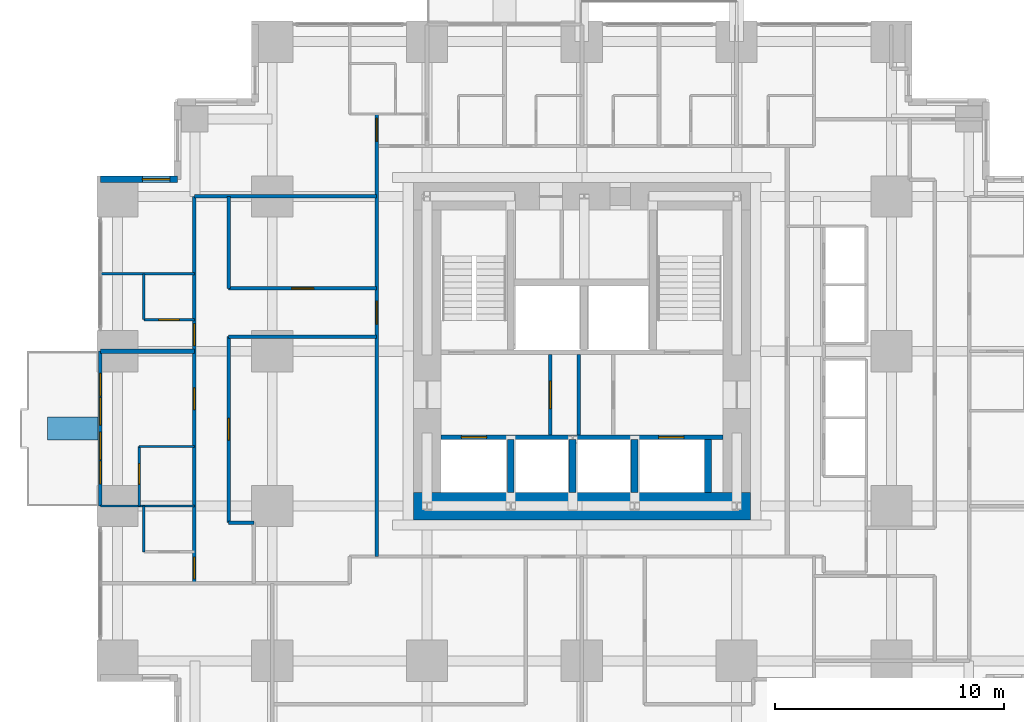
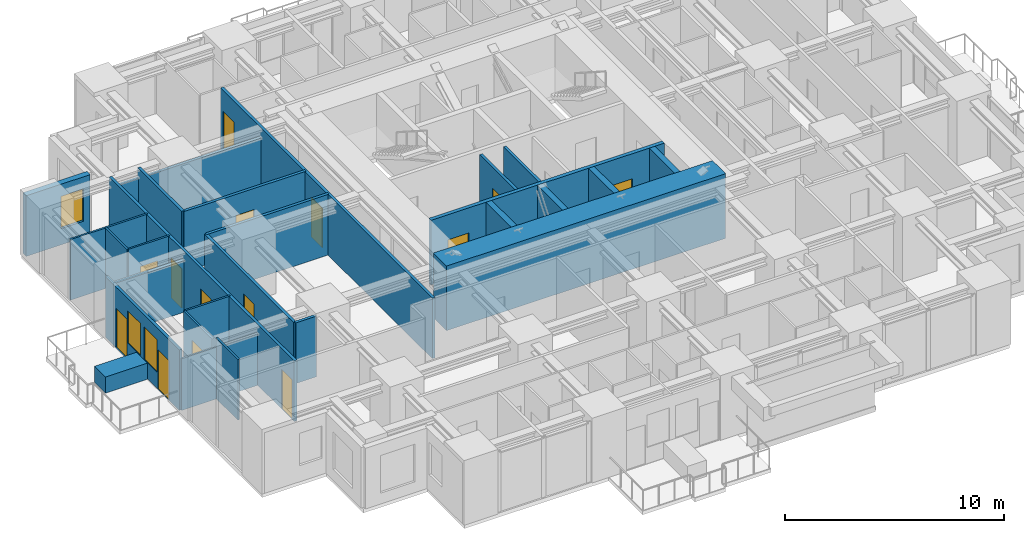
# One storey, part 8 of 13: 27 walls, 14 doors, 3 windows, 17 openings.
"""IFC4 building model written with IfcOpenShell, lengths in metres."""

import ifcopenshell
import ifcopenshell.guid

model = None  # the IFC model being written
_history = None  # IfcOwnerHistory: only IFC2X3 demands one
_inside = {}  # id of a spatial element -> (the spatial element, [elements in it])
_under = {}  # id of a project, library or spatial element -> (it, [spatial elements below it])
_declared = {}  # id of a project -> (the project, [libraries it declares])
_typed = {}  # id of a type object -> (the type object, [elements of that type])
_made_of = {}  # id of a material, layer set ... -> (it, [elements and type objects made of it])


def new_model(schema):
    """Start an empty IFC model of exactly this schema.

    Asked for "IFC4X3", IfcOpenShell would pick the latest addendum, in which some entities
    have other attributes; the version numbers below select the first issue.
    IFC2X3 requires an IfcOwnerHistory on every rooted entity: one is made here for all.
    """
    global model, _history
    if schema == "IFC4X3":
        model = ifcopenshell.file(schema_version=(4, 3, 0, 0))
    else:
        model = ifcopenshell.file(schema=schema)
    _inside.clear()
    _under.clear()
    _declared.clear()
    _typed.clear()
    _made_of.clear()
    _history = None
    if model.schema == "IFC2X3":
        org = make("IfcOrganization", Name="unknown")
        user = make(
            "IfcPersonAndOrganization",
            ThePerson=make("IfcPerson", FamilyName="unknown"),
            TheOrganization=org,
        )
        app = make(
            "IfcApplication",
            ApplicationDeveloper=org,
            Version="unknown",
            ApplicationFullName="unknown",
            ApplicationIdentifier="unknown",
        )
        _history = make(
            "IfcOwnerHistory",
            OwningUser=user,
            OwningApplication=app,
            ChangeAction="ADDED",
            CreationDate=0,
        )
    return model


def make(cls, **values):
    """One entity of the class cls with the attributes given. An attribute that is None is left unset."""
    return model.create_entity(
        cls, **{name: value for name, value in values.items() if value is not None}
    )


def rooted(cls, **values):
    """An entity with a GlobalId (a new one), such as an element, a storey or a relation."""
    return make(cls, GlobalId=ifcopenshell.guid.new(), OwnerHistory=_history, **values)


def si_unit(unit_type, name, prefix=None):
    """IfcSIUnit, for example si_unit("LENGTHUNIT", "METRE", prefix="MILLI")."""
    return make("IfcSIUnit", UnitType=unit_type, Prefix=prefix, Name=name)


def assignment(units):
    """IfcUnitAssignment: the units of a project."""
    return None if units is None else make("IfcUnitAssignment", Units=units)


def point(xyz):
    """IfcCartesianPoint."""
    return None if xyz is None else make("IfcCartesianPoint", Coordinates=xyz)


def direction(xyz):
    """IfcDirection."""
    return None if xyz is None else make("IfcDirection", DirectionRatios=xyz)


def frame(location, z_axis=None, x_axis=None):
    """IfcAxis2Placement3D, a coordinate frame: its origin and axes. An axis left out is left unset."""
    return make(
        "IfcAxis2Placement3D",
        Location=point(location),
        Axis=direction(z_axis),
        RefDirection=direction(x_axis),
    )


def frame_2d(location, x_axis=None):
    """IfcAxis2Placement2D, a coordinate frame in the plane: its origin and x axis."""
    return make(
        "IfcAxis2Placement2D", Location=point(location), RefDirection=direction(x_axis)
    )


def origin():
    """The frame at (0, 0, 0) with its axes left unset."""
    return frame((0.0, 0.0, 0.0))


def place(relative_to, where):
    """IfcLocalPlacement: puts the frame where relative to a parent placement (None: the world)."""
    return make(
        "IfcLocalPlacement", PlacementRelTo=relative_to, RelativePlacement=where
    )


def context(
    kind, dimensions, precision=None, world=None, true_north=None, identifier=None
):
    """IfcGeometricRepresentationContext, for example the 3D "Model" context."""
    return make(
        "IfcGeometricRepresentationContext",
        ContextIdentifier=identifier,
        ContextType=kind,
        CoordinateSpaceDimension=dimensions,
        Precision=precision,
        WorldCoordinateSystem=world,
        TrueNorth=true_north,
    )


def subcontext(parent, identifier, kind, view, scale=None):
    """IfcGeometricRepresentationSubContext, for example "Body" below "Model"."""
    return make(
        "IfcGeometricRepresentationSubContext",
        ContextIdentifier=identifier,
        ContextType=kind,
        ParentContext=parent,
        TargetScale=scale,
        TargetView=view,
    )


def project(units=None, contexts=None):
    """IfcProject with its units and contexts."""
    return rooted(
        "IfcProject",
        Name="project",
        RepresentationContexts=contexts,
        UnitsInContext=assignment(units),
    )


def spatial(cls, under=None, at=None, **own):
    """A site, building, storey or space (cls), placed at a placement, below another one or the project."""
    s = rooted(cls, ObjectPlacement=at, **own)
    if under is not None:
        _under.setdefault(under.id(), (under, []))[1].append(s)
    return s


def profile(cls, at=None, kind="AREA", **sizes):
    """A parametric profile (cls). Its sizes go by their IFC names, for example OverallWidth=200.0."""
    return make(cls, ProfileType=kind, Position=at, **sizes)


def rectangle(**sizes):
    """IfcRectangleProfileDef."""
    return profile("IfcRectangleProfileDef", **sizes)


def extrude(swept, where, along, depth):
    """IfcExtrudedAreaSolid: the profile swept, set in the frame where, extruded along a direction by depth."""
    return make(
        "IfcExtrudedAreaSolid",
        SweptArea=swept,
        Position=where,
        ExtrudedDirection=direction(along),
        Depth=depth,
    )


def shape(context_of_items, identifier, shape_type, items):
    """IfcShapeRepresentation: the items that make up one representation, for example the "Body"."""
    return make(
        "IfcShapeRepresentation",
        ContextOfItems=context_of_items,
        RepresentationIdentifier=identifier,
        RepresentationType=shape_type,
        Items=items,
    )


def material(Name=None, Category=None):
    """IfcMaterial."""
    return make("IfcMaterial", Name=Name, Category=Category)


def layer(
    of_material, thickness, ventilated=None, Name=None, Category=None, Priority=None
):
    """IfcMaterialLayer: one layer of a wall or slab, of a material (None: an air gap)."""
    return make(
        "IfcMaterialLayer",
        Material=of_material,
        LayerThickness=thickness,
        IsVentilated=ventilated,
        Name=Name,
        Category=Category,
        Priority=Priority,
    )


def layer_set(layers, Name=None):
    """IfcMaterialLayerSet."""
    return make("IfcMaterialLayerSet", MaterialLayers=layers, LayerSetName=Name)


def made_of(thing, what):
    """Note that an element or type object is made of a material, layer set ...; save() writes the relation."""
    if what is not None:
        _made_of.setdefault(what.id(), (what, []))[1].append(thing)
    return thing


def type_object(cls, material=None, **own):
    """A type object (cls), such as IfcWallType, which elements share."""
    return made_of(rooted(cls, **own), material)


def element(
    cls,
    number,
    at=None,
    inside=None,
    cuts=None,
    type_object=None,
    material=None,
    context=None,
    identifier="Body",
    shape_type=None,
    held_by="IfcProductDefinitionShape",
    body=None,
    shapes=None,
    **own,
):
    """One element of the class cls, such as IfcWall. Its Tag is "e" and its number.

    at: its placement. inside: the storey or other place that contains it. cuts: it is an
    opening in that element (IfcRelVoidsElement). A single representation is given by context,
    identifier, shape_type and body (its items); several are given by shapes. held_by: the class
    of the entity that holds the representations. save() writes the other relations.
    """
    e = rooted(cls, Tag="e%d" % number, ObjectPlacement=at, **own)
    if body is not None:
        shapes = [shape(context, identifier, shape_type, body)]
    if shapes is not None:
        e.Representation = make(held_by, Representations=shapes)
    if inside is not None:
        _inside.setdefault(inside.id(), (inside, []))[1].append(e)
    if cuts is not None:
        rooted(
            "IfcRelVoidsElement", RelatingBuildingElement=cuts, RelatedOpeningElement=e
        )
    if type_object is not None:
        _typed.setdefault(type_object.id(), (type_object, []))[1].append(e)
    return made_of(e, material)


def fill(opening, filler):
    """IfcRelFillsElement: the door or window that sits in an opening."""
    return rooted(
        "IfcRelFillsElement",
        RelatingOpeningElement=opening,
        RelatedBuildingElement=filler,
    )


def aggregate(whole, parts):
    """IfcRelAggregates: a whole, such as a stair, and the parts it consists of."""
    return rooted("IfcRelAggregates", RelatingObject=whole, RelatedObjects=parts)


def save(model, path):
    """Write the relations noted so far, then the file.

    IfcRelAggregates (storeys below a building ...), IfcRelContainedInSpatialStructure (elements
    in a storey), IfcRelDefinesByType, IfcRelAssociatesMaterial and IfcRelDeclares: one each for
    every whole, place, type object, material and project.
    """
    for whole, parts in _under.values():
        aggregate(whole, parts)
    for where, things in _inside.values():
        rooted(
            "IfcRelContainedInSpatialStructure",
            RelatedElements=things,
            RelatingStructure=where,
        )
    for kind, things in _typed.values():
        rooted("IfcRelDefinesByType", RelatedObjects=things, RelatingType=kind)
    for what, things in _made_of.values():
        rooted("IfcRelAssociatesMaterial", RelatedObjects=things, RelatingMaterial=what)
    for by, libraries in _declared.values():
        rooted("IfcRelDeclares", RelatingContext=by, RelatedDefinitions=libraries)
    model.write(path)


model = new_model("IFC4")

# Units and contexts
model_context = context("Model", 3, precision=1e-05, world=origin(), true_north=direction((0.0, 1.0)))
body_context = subcontext(model_context, "Body", "Model", "MODEL_VIEW")
ifc_project = project(units=[si_unit("LENGTHUNIT", "METRE"), si_unit("AREAUNIT", "SQUARE_METRE"), si_unit("VOLUMEUNIT", "CUBIC_METRE"), si_unit("PLANEANGLEUNIT", "RADIAN"), si_unit("MASSUNIT", "GRAM", prefix="KILO")], contexts=[model_context])

# Site, building, storey
site_placement = place(None, origin())
site = spatial("IfcSite", under=ifc_project, at=site_placement, CompositionType="ELEMENT")
building_placement = place(site_placement, origin())
building = spatial("IfcBuilding", under=site, at=building_placement, Name="Nyansa Garden Tower", CompositionType="ELEMENT")
storey_placement = place(building_placement, frame((0.0, 0.0, 87.300048828125)))
storey = spatial("IfcBuildingStorey", under=building, at=storey_placement, Name="L23", CompositionType="ELEMENT", Elevation=87.300048828125)

# Wall
ifc_material_1 = material(Name="Dense blockwork, plastered both sides, 55 dB", Category="masonry")
ifc_layer_1 = layer(ifc_material_1, 0.175048828125)
ifc_layer_set_1 = layer_set([ifc_layer_1], Name="Acoustic party wall PW175")
wall_type_1 = type_object("IfcWallType", Name="Acoustic party wall PW175", PredefinedType="PARTITIONING", material=ifc_layer_set_1)
wall_1_placement = place(storey_placement, frame((-0.73388671875, 20.25, 0.0), z_axis=(0.0, 0.0, 1.0), x_axis=(1.0, 0.0, 0.0)))
element("IfcWall", 1, at=wall_1_placement, inside=storey, type_object=wall_type_1, Name="Party wall", PredefinedType="PARTITIONING", context=body_context, shape_type="SweptSolid", body=[
    extrude(rectangle(XDim=4.083984375, YDim=0.175048828125, at=frame_2d((2.0419921875, 0.0))), origin(), (0.0, 0.0, 1.0), 2.876953125),
])

# Wall, openings, doors, windows
ifc_material_2 = material(Name="Black aluminium framed glazed screen", Category="aluminium")
ifc_layer_2 = layer(ifc_material_2, 0.14990234375)
ifc_layer_set_2 = layer_set([ifc_layer_2], Name="Balcony screen wall BW150")
wall_type_2 = type_object("IfcWallType", Name="Balcony screen wall BW150", PredefinedType="SOLIDWALL", material=ifc_layer_set_2)
wall_2_placement = place(storey_placement, frame((-0.75, 13.5, 0.0), z_axis=(0.0, 0.0, 1.0), x_axis=(0.0, 1.0, 0.0)))
wall_2 = element("IfcWall", 2, at=wall_2_placement, inside=storey, type_object=wall_type_2, Name="Glazed screen wall L23 W", PredefinedType="SOLIDWALL", context=body_context, shape_type="SweptSolid", body=[
    extrude(rectangle(XDim=6.75, YDim=0.14990234375, at=frame_2d((3.375, 0.0))), origin(), (0.0, 0.0, 1.0), 3.375),
])
opening_1_placement = place(wall_2_placement, frame((0.96240234375, 0.0, 0.0)))
opening_1 = element("IfcOpeningElement", 3, at=opening_1_placement, cuts=wall_2, Name="Opening D20", PredefinedType="OPENING", context=body_context, shape_type="SweptSolid", body=[
    extrude(rectangle(XDim=1.0, YDim=2.199951171875, at=frame_2d((0.5, 1.10009765625))), frame((0.0, 0.0849609375, 0.0), z_axis=(0.0, -1.0, 0.0), x_axis=(1.0, 0.0, 0.0)), (0.0, 0.0, 1.0), 0.169921875),
])
opening_2_placement = place(wall_2_placement, frame((2.02490234375, 0.0, 0.89990234375)))
opening_2 = element("IfcOpeningElement", 4, at=opening_2_placement, cuts=wall_2, Name="Opening W6", PredefinedType="OPENING", context=body_context, shape_type="SweptSolid", body=[
    extrude(rectangle(XDim=1.199951171875, YDim=1.800048828125, at=frame_2d((0.60009765625, 0.89990234375))), frame((0.0, 0.0849609375, 0.0), z_axis=(0.0, -1.0, 0.0), x_axis=(1.0, 0.0, 0.0)), (0.0, 0.0, 1.0), 0.169921875),
])
opening_3_placement = place(wall_2_placement, frame((4.78759765625, 0.0, 0.0)))
opening_3 = element("IfcOpeningElement", 5, at=opening_3_placement, cuts=wall_2, Name="Opening D20", PredefinedType="OPENING", context=body_context, shape_type="SweptSolid", body=[
    extrude(rectangle(XDim=1.0, YDim=2.199951171875, at=frame_2d((0.5, 1.10009765625))), frame((0.0, 0.0849609375, 0.0), z_axis=(0.0, -1.0, 0.0), x_axis=(1.0, 0.0, 0.0)), (0.0, 0.0, 1.0), 0.169921875),
])
opening_4_placement = place(wall_2_placement, frame((3.52490234375, 0.0, 0.89990234375)))
opening_4 = element("IfcOpeningElement", 6, at=opening_4_placement, cuts=wall_2, Name="Opening W6", PredefinedType="OPENING", context=body_context, shape_type="SweptSolid", body=[
    extrude(rectangle(XDim=1.199951171875, YDim=1.800048828125, at=frame_2d((0.60009765625, 0.89990234375))), frame((0.0, 0.0849609375, 0.0), z_axis=(0.0, -1.0, 0.0), x_axis=(1.0, 0.0, 0.0)), (0.0, 0.0, 1.0), 0.169921875),
])
ifc_material_3 = material(Name="Black aluminium framed glazed door", Category="aluminium")
door_type_1 = type_object("IfcDoorType", Name="Balcony door D20 1000x2200", OperationType="NOTDEFINED", PredefinedType="DOOR", material=ifc_material_3)
door_1_placement = place(opening_1_placement, origin())
door_1 = element("IfcDoor", 7, at=door_1_placement, inside=storey, type_object=door_type_1, Name="Balcony door L23", OperationType="SINGLE_SWING_LEFT", OverallHeight=2.199951171875, OverallWidth=1.0, PredefinedType="DOOR", context=body_context, shape_type="SweptSolid", body=[
    extrude(rectangle(XDim=1.0, YDim=2.199951171875, at=frame_2d((0.5, 1.10009765625))), frame((0.0, 0.02490234375, 0.0), z_axis=(0.0, -1.0, 0.0), x_axis=(1.0, 0.0, 0.0)), (0.0, 0.0, 1.0), 0.050048828125),
])
fill(opening_1, door_1)
door_2_placement = place(opening_3_placement, origin())
door_2 = element("IfcDoor", 8, at=door_2_placement, inside=storey, type_object=door_type_1, Name="Balcony door L23", OperationType="SINGLE_SWING_RIGHT", OverallHeight=2.199951171875, OverallWidth=1.0, PredefinedType="DOOR", context=body_context, shape_type="SweptSolid", body=[
    extrude(rectangle(XDim=1.0, YDim=2.199951171875, at=frame_2d((0.5, 1.10009765625))), frame((0.0, 0.02490234375, 0.0), z_axis=(0.0, -1.0, 0.0), x_axis=(1.0, 0.0, 0.0)), (0.0, 0.0, 1.0), 0.050048828125),
])
fill(opening_3, door_2)
ifc_material_4 = material(Name="Black aluminium frame, dark tinted double glazing", Category="aluminium")
window_type_1 = type_object("IfcWindowType", Name="Balcony window W6 1200x1800", PartitioningType="SINGLE_PANEL", PredefinedType="WINDOW", material=ifc_material_4)
window_1_placement = place(opening_2_placement, origin())
window_1 = element("IfcWindow", 9, at=window_1_placement, inside=storey, type_object=window_type_1, Name="Window L23", OverallHeight=1.800048828125, OverallWidth=1.199951171875, PartitioningType="SINGLE_PANEL", PredefinedType="WINDOW", context=body_context, shape_type="SweptSolid", body=[
    extrude(rectangle(XDim=1.199951171875, YDim=1.800048828125, at=frame_2d((0.60009765625, 0.89990234375))), frame((0.0, 0.030029296875, 0.0), z_axis=(0.0, -1.0, 0.0), x_axis=(1.0, 0.0, 0.0)), (0.0, 0.0, 1.0), 0.06005859375),
])
fill(opening_2, window_1)
window_2_placement = place(opening_4_placement, origin())
window_2 = element("IfcWindow", 10, at=window_2_placement, inside=storey, type_object=window_type_1, Name="Window L23", OverallHeight=1.800048828125, OverallWidth=1.199951171875, PartitioningType="SINGLE_PANEL", PredefinedType="WINDOW", context=body_context, shape_type="SweptSolid", body=[
    extrude(rectangle(XDim=1.199951171875, YDim=1.800048828125, at=frame_2d((0.60009765625, 0.89990234375))), frame((0.0, 0.030029296875, 0.0), z_axis=(0.0, -1.0, 0.0), x_axis=(1.0, 0.0, 0.0)), (0.0, 0.0, 1.0), 0.06005859375),
])
fill(opening_4, window_2)

# Wall, openings, doors
ifc_material_5 = material(Name="Concrete C70/85", Category="concrete")
ifc_layer_3 = layer(ifc_material_5, 0.199951171875)
ifc_layer_set_3 = layer_set([ifc_layer_3], Name="Core inner wall CI200")
wall_type_3 = type_object("IfcWallType", Name="Core inner wall CI200", PredefinedType="SHEAR", material=ifc_layer_set_3)
wall_3_placement = place(storey_placement, frame((14.10009765625, 16.5, 0.0), z_axis=(0.0, 0.0, 1.0), x_axis=(1.0, 0.0, 0.0)))
wall_3 = element("IfcWall", 11, at=wall_3_placement, inside=storey, type_object=wall_type_3, Name="Core inner wall L23", PredefinedType="SHEAR", context=body_context, shape_type="SweptSolid", body=[
    extrude(rectangle(XDim=12.2998046875, YDim=0.199951171875, at=frame_2d((6.14990234375, 0.0))), origin(), (0.0, 0.0, 1.0), 3.599853515625),
])
opening_5_placement = place(wall_3_placement, frame((0.89990234375, 0.0, 0.0)))
opening_5 = element("IfcOpeningElement", 12, at=opening_5_placement, cuts=wall_3, Name="Opening LD-F", PredefinedType="OPENING", context=body_context, shape_type="SweptSolid", body=[
    extrude(rectangle(XDim=1.10009765625, YDim=2.199951171875, at=frame_2d((0.550048828125, 1.10009765625))), frame((0.0, 0.10986328125, 0.0), z_axis=(0.0, -1.0, 0.0), x_axis=(1.0, 0.0, 0.0)), (0.0, 0.0, 1.0), 0.219970703125),
])
opening_6_placement = place(wall_3_placement, frame((9.5, 0.0, 0.0)))
opening_6 = element("IfcOpeningElement", 13, at=opening_6_placement, cuts=wall_3, Name="Opening LD-F", PredefinedType="OPENING", context=body_context, shape_type="SweptSolid", body=[
    extrude(rectangle(XDim=1.10009765625, YDim=2.199951171875, at=frame_2d((0.550048828125, 1.10009765625))), frame((0.0, 0.10986328125, 0.0), z_axis=(0.0, -1.0, 0.0), x_axis=(1.0, 0.0, 0.0)), (0.0, 0.0, 1.0), 0.219970703125),
])
ifc_material_6 = material(Name="Stainless steel centre-opening landing door of the firefighting lift, EN 81-72, E 120", Category="steel")
door_type_2 = type_object("IfcDoorType", Name="Lift landing door LD-F 1100x2200", OperationType="DOUBLE_DOOR_SLIDING", PredefinedType="DOOR", material=ifc_material_6)
door_3_placement = place(opening_5_placement, origin())
door_3 = element("IfcDoor", 14, at=door_3_placement, inside=storey, type_object=door_type_2, Name="Landing door FF1", OperationType="DOUBLE_DOOR_SLIDING", OverallHeight=2.199951171875, OverallWidth=1.10009765625, PredefinedType="DOOR", context=body_context, shape_type="SweptSolid", body=[
    extrude(rectangle(XDim=1.10009765625, YDim=2.199951171875, at=frame_2d((0.550048828125, 1.10009765625))), frame((0.0, 0.02490234375, 0.0), z_axis=(0.0, -1.0, 0.0), x_axis=(1.0, 0.0, 0.0)), (0.0, 0.0, 1.0), 0.050048828125),
])
fill(opening_5, door_3)
door_4_placement = place(opening_6_placement, origin())
door_4 = element("IfcDoor", 15, at=door_4_placement, inside=storey, type_object=door_type_2, Name="Landing door FF2", OperationType="DOUBLE_DOOR_SLIDING", OverallHeight=2.199951171875, OverallWidth=1.10009765625, PredefinedType="DOOR", context=body_context, shape_type="SweptSolid", body=[
    extrude(rectangle(XDim=1.10009765625, YDim=2.199951171875, at=frame_2d((0.550048828125, 1.10009765625))), frame((0.0, 0.02490234375, 0.0), z_axis=(0.0, -1.0, 0.0), x_axis=(1.0, 0.0, 0.0)), (0.0, 0.0, 1.0), 0.050048828125),
])
fill(opening_6, door_4)

# Walls
ifc_material_7 = material(Name="Concrete C70/85", Category="concrete")
ifc_layer_4 = layer(ifc_material_7, 0.300048828125)
ifc_layer_set_4 = layer_set([ifc_layer_4], Name="Core inner wall CI300")
wall_type_4 = type_object("IfcWallType", Name="Core inner wall CI300", PredefinedType="SHEAR", material=ifc_layer_set_4)
for number, where, z_axis, x_axis, name in (
    (16, (17.14990234375, 14.10009765625, 0.0), (0.0, 0.0, 1.0), (0.0, 1.0, 0.0), "Core inner wall L23"),
    (17, (19.85009765625, 14.10009765625, 0.0), (0.0, 0.0, 1.0), (0.0, 1.0, 0.0), "Core inner wall L23"),
    (18, (22.550048828125, 14.10009765625, 0.0), (0.0, 0.0, 1.0), (0.0, 1.0, 0.0), "Core inner wall L23"),
    (19, (25.75, 14.10009765625, 0.0), (0.0, 0.0, 1.0), (0.0, 1.0, 0.0), "Core inner wall L23"),
):
    element("IfcWall", number, at=place(storey_placement, frame(where, z_axis=z_axis, x_axis=x_axis)), inside=storey, type_object=wall_type_4, Name=name, PredefinedType="SHEAR", context=body_context, shape_type="SweptSolid", body=[
        extrude(rectangle(XDim=2.2998046875, YDim=0.300048828125, at=frame_2d((1.14990234375, 0.0))), origin(), (0.0, 0.0, 1.0), 3.599853515625),
    ])
ifc_material_8 = material(Name="Concrete C80/95", Category="concrete")
ifc_layer_5 = layer(ifc_material_8, 1.199951171875)
ifc_layer_set_5 = layer_set([ifc_layer_5], Name="Core wall CW1200")
wall_type_5 = type_object("IfcWallType", Name="Core wall CW1200", PredefinedType="SHEAR", material=ifc_layer_set_5)
wall_4_placement = place(storey_placement, frame((12.89990234375, 13.5, 0.0), z_axis=(0.0, 0.0, 1.0), x_axis=(1.0, 0.0, 0.0)))
element("IfcWall", 20, at=wall_4_placement, inside=storey, type_object=wall_type_5, Name="Core wall S L23", PredefinedType="SHEAR", context=body_context, shape_type="SweptSolid", body=[
    extrude(rectangle(XDim=14.7001953125, YDim=1.199951171875, at=frame_2d((7.35009765625, 0.0))), origin(), (0.0, 0.0, 1.0), 3.599853515625),
])

# Wall, opening, door
ifc_material_9 = material(Name="Blockwork, plastered both sides", Category="masonry")
ifc_layer_6 = layer(ifc_material_9, 0.14990234375)
ifc_layer_set_6 = layer_set([ifc_layer_6], Name="Partition PW150")
wall_type_6 = type_object("IfcWallType", Name="Partition PW150", PredefinedType="PARTITIONING", material=ifc_layer_set_6)
wall_5_placement = place(storey_placement, frame((18.875, 16.60009765625, 0.0), z_axis=(0.0, 0.0, 1.0), x_axis=(0.0, 1.0, 0.0)))
wall_5 = element("IfcWall", 21, at=wall_5_placement, inside=storey, type_object=wall_type_6, Name="Partition", PredefinedType="PARTITIONING", context=body_context, shape_type="SweptSolid", body=[
    extrude(rectangle(XDim=3.5, YDim=0.14990234375, at=frame_2d((1.75, 0.0))), origin(), (0.0, 0.0, 1.0), 3.375),
])
opening_7_placement = place(wall_5_placement, frame((1.14990234375, 0.0, 0.0)))
opening_7 = element("IfcOpeningElement", 22, at=opening_7_placement, cuts=wall_5, Name="Opening D06", PredefinedType="OPENING", context=body_context, shape_type="SweptSolid", body=[
    extrude(rectangle(XDim=1.199951171875, YDim=2.199951171875, at=frame_2d((0.60009765625, 1.10009765625))), frame((0.0, 0.0849609375, 0.0), z_axis=(0.0, -1.0, 0.0), x_axis=(1.0, 0.0, 0.0)), (0.0, 0.0, 1.0), 0.169921875),
])
ifc_material_10 = material(Name="Steel door, 120 minute fire resisting", Category="steel")
door_type_3 = type_object("IfcDoorType", Name="Lobby door D06 1200x2200", OperationType="DOUBLE_DOOR_SINGLE_SWING", PredefinedType="DOOR", material=ifc_material_10)
door_5_placement = place(opening_7_placement, origin())
door_5 = element("IfcDoor", 23, at=door_5_placement, inside=storey, type_object=door_type_3, Name="Passenger lift lobby door", OperationType="DOUBLE_DOOR_SINGLE_SWING", OverallHeight=2.199951171875, OverallWidth=1.199951171875, PredefinedType="DOOR", context=body_context, shape_type="SweptSolid", body=[
    extrude(rectangle(XDim=1.199951171875, YDim=2.199951171875, at=frame_2d((0.60009765625, 1.10009765625))), frame((0.0, 0.02490234375, 0.0), z_axis=(0.0, -1.0, 0.0), x_axis=(1.0, 0.0, 0.0)), (0.0, 0.0, 1.0), 0.050048828125),
])
fill(opening_7, door_5)

# Wall
wall_6_placement = place(storey_placement, frame((20.1201171875, 16.60009765625, 0.0), z_axis=(0.0, 0.0, 1.0), x_axis=(0.0, 1.0, 0.0)))
element("IfcWall", 24, at=wall_6_placement, inside=storey, type_object=wall_type_6, Name="Partition", PredefinedType="PARTITIONING", context=body_context, shape_type="SweptSolid", body=[
    extrude(rectangle(XDim=3.5, YDim=0.14990234375, at=frame_2d((1.75, 0.0))), origin(), (0.0, 0.0, 1.0), 3.375),
])

# Wall, openings, doors
wall_7_placement = place(storey_placement, frame((3.35009765625, 10.125, 0.0), z_axis=(0.0, 0.0, 1.0), x_axis=(0.0, 1.0, 0.0)))
wall_7 = element("IfcWall", 25, at=wall_7_placement, inside=storey, type_object=wall_type_6, Name="Partition", PredefinedType="PARTITIONING", context=body_context, shape_type="SweptSolid", body=[
    extrude(rectangle(XDim=16.875, YDim=0.14990234375, at=frame_2d((8.4375, 0.0))), origin(), (0.0, 0.0, 1.0), 3.375),
])
opening_8_placement = place(wall_7_placement, frame((7.574951171875, 0.0, 0.0)))
opening_8 = element("IfcOpeningElement", 26, at=opening_8_placement, cuts=wall_7, Name="Opening D14", PredefinedType="OPENING", context=body_context, shape_type="SweptSolid", body=[
    extrude(rectangle(XDim=0.949951171875, YDim=2.199951171875, at=frame_2d((0.47509765625, 1.10009765625))), frame((0.0, 0.0849609375, 0.0), z_axis=(0.0, -1.0, 0.0), x_axis=(1.0, 0.0, 0.0)), (0.0, 0.0, 1.0), 0.169921875),
])
opening_9_placement = place(wall_7_placement, frame((0.199951171875, 0.0, 0.0)))
opening_9 = element("IfcOpeningElement", 27, at=opening_9_placement, cuts=wall_7, Name="Opening D14", PredefinedType="OPENING", context=body_context, shape_type="SweptSolid", body=[
    extrude(rectangle(XDim=0.949951171875, YDim=2.199951171875, at=frame_2d((0.47509765625, 1.10009765625))), frame((0.0, 0.0849609375, 0.0), z_axis=(0.0, -1.0, 0.0), x_axis=(1.0, 0.0, 0.0)), (0.0, 0.0, 1.0), 0.169921875),
])
opening_10_placement = place(wall_7_placement, frame((10.375, 0.0, 0.0)))
opening_10 = element("IfcOpeningElement", 28, at=opening_10_placement, cuts=wall_7, Name="Opening D14", PredefinedType="OPENING", context=body_context, shape_type="SweptSolid", body=[
    extrude(rectangle(XDim=0.949951171875, YDim=2.199951171875, at=frame_2d((0.47509765625, 1.10009765625))), frame((0.0, 0.0849609375, 0.0), z_axis=(0.0, -1.0, 0.0), x_axis=(1.0, 0.0, 0.0)), (0.0, 0.0, 1.0), 0.169921875),
])
ifc_material_11 = material(Name="Timber flush door, 60 minute fire resisting, self-closing", Category="wood")
door_type_4 = type_object("IfcDoorType", Name="Studio entrance door D14 950x2200", OperationType="SINGLE_SWING_LEFT", PredefinedType="DOOR", material=ifc_material_11)
door_6_placement = place(opening_8_placement, origin())
door_6 = element("IfcDoor", 29, at=door_6_placement, inside=storey, type_object=door_type_4, Name="Door L23-055", OperationType="SINGLE_SWING_LEFT", OverallHeight=2.199951171875, OverallWidth=0.949951171875, PredefinedType="DOOR", context=body_context, shape_type="SweptSolid", body=[
    extrude(rectangle(XDim=0.949951171875, YDim=2.199951171875, at=frame_2d((0.47509765625, 1.10009765625))), frame((0.0, 0.02490234375, 0.0), z_axis=(0.0, -1.0, 0.0), x_axis=(1.0, 0.0, 0.0)), (0.0, 0.0, 1.0), 0.050048828125),
])
fill(opening_8, door_6)
door_7_placement = place(opening_9_placement, origin())
door_7 = element("IfcDoor", 30, at=door_7_placement, inside=storey, type_object=door_type_4, Name="Door L23-057", OperationType="SINGLE_SWING_LEFT", OverallHeight=2.199951171875, OverallWidth=0.949951171875, PredefinedType="DOOR", context=body_context, shape_type="SweptSolid", body=[
    extrude(rectangle(XDim=0.949951171875, YDim=2.199951171875, at=frame_2d((0.47509765625, 1.10009765625))), frame((0.0, 0.02490234375, 0.0), z_axis=(0.0, -1.0, 0.0), x_axis=(1.0, 0.0, 0.0)), (0.0, 0.0, 1.0), 0.050048828125),
])
fill(opening_9, door_7)
door_8_placement = place(opening_10_placement, origin())
door_8 = element("IfcDoor", 31, at=door_8_placement, inside=storey, type_object=door_type_4, Name="Door L23-059", OperationType="SINGLE_SWING_LEFT", OverallHeight=2.199951171875, OverallWidth=0.949951171875, PredefinedType="DOOR", context=body_context, shape_type="SweptSolid", body=[
    extrude(rectangle(XDim=0.949951171875, YDim=2.199951171875, at=frame_2d((0.47509765625, 1.10009765625))), frame((0.0, 0.02490234375, 0.0), z_axis=(0.0, -1.0, 0.0), x_axis=(1.0, 0.0, 0.0)), (0.0, 0.0, 1.0), 0.050048828125),
])
fill(opening_10, door_8)

# Wall
wall_8_placement = place(storey_placement, frame((3.35009765625, 27.0, 0.0), z_axis=(0.0, 0.0, 1.0), x_axis=(1.0, 0.0, 0.0)))
element("IfcWall", 32, at=wall_8_placement, inside=storey, type_object=wall_type_6, Name="Partition", PredefinedType="PARTITIONING", context=body_context, shape_type="SweptSolid", body=[
    extrude(rectangle(XDim=7.949951171875, YDim=0.14990234375, at=frame_2d((3.97509765625, 0.0))), origin(), (0.0, 0.0, 1.0), 2.805908203125),
])

# Wall, opening, door
wall_9_placement = place(storey_placement, frame((4.85009765625, 12.77490234375, 0.0), z_axis=(0.0, 0.0, 1.0), x_axis=(0.0, 1.0, 0.0)))
wall_9 = element("IfcWall", 33, at=wall_9_placement, inside=storey, type_object=wall_type_6, Name="Partition", PredefinedType="PARTITIONING", context=body_context, shape_type="SweptSolid", body=[
    extrude(rectangle(XDim=8.112548828125, YDim=0.14990234375, at=frame_2d((4.05615234375, 0.0))), origin(), (0.0, 0.0, 1.0), 3.375),
])
opening_11_placement = place(wall_9_placement, frame((3.60009765625, 0.0, 0.0)))
opening_11 = element("IfcOpeningElement", 34, at=opening_11_placement, cuts=wall_9, Name="Opening D01", PredefinedType="OPENING", context=body_context, shape_type="SweptSolid", body=[
    extrude(rectangle(XDim=0.949951171875, YDim=2.199951171875, at=frame_2d((0.47509765625, 1.10009765625))), frame((0.0, 0.0849609375, 0.0), z_axis=(0.0, -1.0, 0.0), x_axis=(1.0, 0.0, 0.0)), (0.0, 0.0, 1.0), 0.169921875),
])
ifc_material_12 = material(Name="Timber flush door, 30 minute fire resisting", Category="wood")
door_type_5 = type_object("IfcDoorType", Name="Bedroom door D01 950x2200", OperationType="SINGLE_SWING_LEFT", PredefinedType="DOOR", material=ifc_material_12)
door_9_placement = place(opening_11_placement, origin())
door_9 = element("IfcDoor", 35, at=door_9_placement, inside=storey, type_object=door_type_5, Name="Door L23-062", OperationType="SINGLE_SWING_LEFT", OverallHeight=2.199951171875, OverallWidth=0.949951171875, PredefinedType="DOOR", context=body_context, shape_type="SweptSolid", body=[
    extrude(rectangle(XDim=0.949951171875, YDim=2.199951171875, at=frame_2d((0.47509765625, 1.10009765625))), frame((0.0, 0.02490234375, 0.0), z_axis=(0.0, -1.0, 0.0), x_axis=(1.0, 0.0, 0.0)), (0.0, 0.0, 1.0), 0.050048828125),
])
fill(opening_11, door_9)

# Walls
wall_10_placement = place(storey_placement, frame((4.85009765625, 12.77490234375, 0.0), z_axis=(0.0, 0.0, 1.0), x_axis=(1.0, 0.0, 0.0)))
element("IfcWall", 36, at=wall_10_placement, inside=storey, type_object=wall_type_6, Name="Partition", PredefinedType="PARTITIONING", context=body_context, shape_type="SweptSolid", body=[
    extrude(rectangle(XDim=1.099853515625, YDim=0.14990234375, at=frame_2d((0.5498046875, 0.0))), origin(), (0.0, 0.0, 1.0), 3.375),
])
wall_11_placement = place(storey_placement, frame((4.85009765625, 20.886962890625, 0.0), z_axis=(0.0, 0.0, 1.0), x_axis=(1.0, 0.0, 0.0)))
element("IfcWall", 37, at=wall_11_placement, inside=storey, type_object=wall_type_6, Name="Partition", PredefinedType="PARTITIONING", context=body_context, shape_type="SweptSolid", body=[
    extrude(rectangle(XDim=6.449951171875, YDim=0.14990234375, at=frame_2d((3.22509765625, 0.0))), origin(), (0.0, 0.0, 1.0), 3.375),
])
wall_12_placement = place(storey_placement, frame((4.85009765625, 22.987548828125, 0.0), z_axis=(0.0, 0.0, 1.0), x_axis=(0.0, 1.0, 0.0)))
element("IfcWall", 38, at=wall_12_placement, inside=storey, type_object=wall_type_6, Name="Partition", PredefinedType="PARTITIONING", context=body_context, shape_type="SweptSolid", body=[
    extrude(rectangle(XDim=4.012451171875, YDim=0.14990234375, at=frame_2d((2.00634765625, 0.0))), origin(), (0.0, 0.0, 1.0), 3.375),
])

# Wall, opening, door
wall_13_placement = place(storey_placement, frame((4.85009765625, 22.988037109375, 0.0), z_axis=(0.0, 0.0, 1.0), x_axis=(1.0, 0.0, 0.0)))
wall_13 = element("IfcWall", 39, at=wall_13_placement, inside=storey, type_object=wall_type_6, Name="Partition", PredefinedType="PARTITIONING", context=body_context, shape_type="SweptSolid", body=[
    extrude(rectangle(XDim=6.449951171875, YDim=0.14990234375, at=frame_2d((3.22509765625, 0.0))), origin(), (0.0, 0.0, 1.0), 3.375),
])
opening_12_placement = place(wall_13_placement, frame((2.75, 0.0, 0.0)))
opening_12 = element("IfcOpeningElement", 40, at=opening_12_placement, cuts=wall_13, Name="Opening D01", PredefinedType="OPENING", context=body_context, shape_type="SweptSolid", body=[
    extrude(rectangle(XDim=0.949951171875, YDim=2.199951171875, at=frame_2d((0.47509765625, 1.10009765625))), frame((0.0, 0.0849609375, 0.0), z_axis=(0.0, -1.0, 0.0), x_axis=(1.0, 0.0, 0.0)), (0.0, 0.0, 1.0), 0.169921875),
])
door_10_placement = place(opening_12_placement, origin())
door_10 = element("IfcDoor", 41, at=door_10_placement, inside=storey, type_object=door_type_5, Name="Door L23-063", OperationType="SINGLE_SWING_LEFT", OverallHeight=2.199951171875, OverallWidth=0.949951171875, PredefinedType="DOOR", context=body_context, shape_type="SweptSolid", body=[
    extrude(rectangle(XDim=0.949951171875, YDim=2.199951171875, at=frame_2d((0.47509765625, 1.10009765625))), frame((0.0, 0.02490234375, 0.0), z_axis=(0.0, -1.0, 0.0), x_axis=(1.0, 0.0, 0.0)), (0.0, 0.0, 1.0), 0.050048828125),
])
fill(opening_12, door_10)

# Wall, openings, doors
wall_14_placement = place(storey_placement, frame((11.300048828125, 11.300048828125, 0.0), z_axis=(0.0, 0.0, 1.0), x_axis=(0.0, 1.0, 0.0)))
wall_14 = element("IfcWall", 42, at=wall_14_placement, inside=storey, type_object=wall_type_6, Name="Partition", PredefinedType="PARTITIONING", context=body_context, shape_type="SweptSolid", body=[
    extrude(rectangle(XDim=19.300048828125, YDim=0.14990234375, at=frame_2d((9.64990234375, 0.0))), origin(), (0.0, 0.0, 1.0), 3.375),
])
opening_13_placement = place(wall_14_placement, frame((18.10009765625, 0.0, 0.0)))
opening_13 = element("IfcOpeningElement", 43, at=opening_13_placement, cuts=wall_14, Name="Opening D03", PredefinedType="OPENING", context=body_context, shape_type="SweptSolid", body=[
    extrude(rectangle(XDim=1.0, YDim=2.199951171875, at=frame_2d((0.5, 1.10009765625))), frame((0.0, 0.0849609375, 0.0), z_axis=(0.0, -1.0, 0.0), x_axis=(1.0, 0.0, 0.0)), (0.0, 0.0, 1.0), 0.169921875),
])
opening_14_placement = place(wall_14_placement, frame((10.137451171875, 0.0, 0.0)))
opening_14 = element("IfcOpeningElement", 44, at=opening_14_placement, cuts=wall_14, Name="Opening D03", PredefinedType="OPENING", context=body_context, shape_type="SweptSolid", body=[
    extrude(rectangle(XDim=1.0, YDim=2.199951171875, at=frame_2d((0.5, 1.10009765625))), frame((0.0, 0.0849609375, 0.0), z_axis=(0.0, -1.0, 0.0), x_axis=(1.0, 0.0, 0.0)), (0.0, 0.0, 1.0), 0.169921875),
])
ifc_material_13 = material(Name="Timber flush door, 60 minute fire resisting", Category="wood")
door_type_6 = type_object("IfcDoorType", Name="Cluster entrance door D03 1000x2200", OperationType="SINGLE_SWING_LEFT", PredefinedType="DOOR", material=ifc_material_13)
door_11_placement = place(opening_13_placement, origin())
door_11 = element("IfcDoor", 45, at=door_11_placement, inside=storey, type_object=door_type_6, Name="Door L23-054", OperationType="SINGLE_SWING_LEFT", OverallHeight=2.199951171875, OverallWidth=1.0, PredefinedType="DOOR", context=body_context, shape_type="SweptSolid", body=[
    extrude(rectangle(XDim=1.0, YDim=2.199951171875, at=frame_2d((0.5, 1.10009765625))), frame((0.0, 0.02490234375, 0.0), z_axis=(0.0, -1.0, 0.0), x_axis=(1.0, 0.0, 0.0)), (0.0, 0.0, 1.0), 0.050048828125),
])
fill(opening_13, door_11)
door_12_placement = place(opening_14_placement, origin())
door_12 = element("IfcDoor", 46, at=door_12_placement, inside=storey, type_object=door_type_6, Name="Door L23-061", OperationType="SINGLE_SWING_LEFT", OverallHeight=2.199951171875, OverallWidth=1.0, PredefinedType="DOOR", context=body_context, shape_type="SweptSolid", body=[
    extrude(rectangle(XDim=1.0, YDim=2.199951171875, at=frame_2d((0.5, 1.10009765625))), frame((0.0, 0.02490234375, 0.0), z_axis=(0.0, -1.0, 0.0), x_axis=(1.0, 0.0, 0.0)), (0.0, 0.0, 1.0), 0.050048828125),
])
fill(opening_14, door_12)

# Wall, opening, window
ifc_material_14 = material(Name="Turquoise glazed tile on concrete blockwork", Category="masonry")
ifc_layer_7 = layer(ifc_material_14, 0.300048828125)
ifc_layer_set_7 = layer_set([ifc_layer_7], Name="Tiled corner wall TW300")
wall_type_7 = type_object("IfcWallType", Name="Tiled corner wall TW300", PredefinedType="SOLIDWALL", material=ifc_layer_set_7)
wall_15_placement = place(storey_placement, frame((2.625, 27.75, 0.0), z_axis=(0.0, 0.0, 1.0), x_axis=(-1.0, 0.0, 0.0)))
wall_15 = element("IfcWall", 47, at=wall_15_placement, inside=storey, type_object=wall_type_7, Name="Tiled corner wall L23", PredefinedType="SOLIDWALL", context=body_context, shape_type="SweptSolid", body=[
    extrude(rectangle(XDim=3.375, YDim=0.300048828125, at=frame_2d((1.6875, 0.0))), origin(), (0.0, 0.0, 1.0), 3.375),
])
opening_15_placement = place(wall_15_placement, frame((0.342529296875, 0.0, 0.89990234375)))
opening_15 = element("IfcOpeningElement", 48, at=opening_15_placement, cuts=wall_15, Name="Opening W4", PredefinedType="OPENING", context=body_context, shape_type="SweptSolid", body=[
    extrude(rectangle(XDim=1.199951171875, YDim=1.800048828125, at=frame_2d((0.60009765625, 0.89990234375))), frame((0.0, 0.159912109375, 0.0), z_axis=(0.0, -1.0, 0.0), x_axis=(1.0, 0.0, 0.0)), (0.0, 0.0, 1.0), 0.320068359375),
])
ifc_material_15 = material(Name="Black aluminium frame, dark tinted double glazing", Category="aluminium")
window_type_2 = type_object("IfcWindowType", Name="Window W4 1200x1800", PartitioningType="SINGLE_PANEL", PredefinedType="WINDOW", material=ifc_material_15)
window_3_placement = place(opening_15_placement, origin())
window_3 = element("IfcWindow", 49, at=window_3_placement, inside=storey, type_object=window_type_2, Name="Corner window L23", OverallHeight=1.800048828125, OverallWidth=1.199951171875, PartitioningType="SINGLE_PANEL", PredefinedType="WINDOW", context=body_context, shape_type="SweptSolid", body=[
    extrude(rectangle(XDim=1.199951171875, YDim=1.800048828125, at=frame_2d((0.60009765625, 0.89990234375))), frame((0.0, 0.030029296875, 0.0), z_axis=(0.0, -1.0, 0.0), x_axis=(1.0, 0.0, 0.0)), (0.0, 0.0, 1.0), 0.06005859375),
])
fill(opening_15, window_3)

# Walls
ifc_material_16 = material(Name="Concrete C40/50 planter, waterproofed", Category="concrete")
ifc_layer_8 = layer(ifc_material_16, 1.0)
ifc_layer_set_8 = layer_set([ifc_layer_8], Name="Tree planter TP1")
wall_type_8 = type_object("IfcWallType", Name="Tree planter TP1", PredefinedType="USERDEFINED", material=ifc_layer_set_8)
wall_16_placement = place(storey_placement, frame((-0.85009765625, 16.875, 0.0), z_axis=(0.0, 0.0, 1.0), x_axis=(-1.0, 0.0, 0.0)))
element("IfcWall", 50, at=wall_16_placement, inside=storey, type_object=wall_type_8, Name="Tree planter L23", ObjectType="TREE PLANTER", PredefinedType="USERDEFINED", context=body_context, shape_type="SweptSolid", body=[
    extrude(rectangle(XDim=2.199951171875, YDim=1.0, at=frame_2d((1.10009765625, 0.0))), origin(), (0.0, 0.0, 1.0), 0.89990234375),
])
ifc_material_17 = material(Name="Moisture resistant board on steel studs, tiled", Category="steel")
ifc_layer_9 = layer(ifc_material_17, 0.10009765625)
ifc_layer_set_9 = layer_set([ifc_layer_9], Name="Wet wall PW100")
wall_type_9 = type_object("IfcWallType", Name="Wet wall PW100", PredefinedType="PARTITIONING", material=ifc_layer_set_9)
wall_17_placement = place(storey_placement, frame((-0.73388671875, 13.5, 0.0), z_axis=(0.0, 0.0, 1.0), x_axis=(1.0, 0.0, 0.0)))
element("IfcWall", 51, at=wall_17_placement, inside=storey, type_object=wall_type_9, Name="Wet wall", PredefinedType="PARTITIONING", context=body_context, shape_type="SweptSolid", body=[
    extrude(rectangle(XDim=4.083984375, YDim=0.10009765625, at=frame_2d((2.0419921875, 0.0))), origin(), (0.0, 0.0, 1.0), 2.876953125),
])
wall_18_placement = place(storey_placement, frame((-0.73388671875, 23.625, 0.0), z_axis=(0.0, 0.0, 1.0), x_axis=(1.0, 0.0, 0.0)))
element("IfcWall", 52, at=wall_18_placement, inside=storey, type_object=wall_type_9, Name="Wet wall", PredefinedType="PARTITIONING", context=body_context, shape_type="SweptSolid", body=[
    extrude(rectangle(XDim=4.083984375, YDim=0.10009765625, at=frame_2d((2.0419921875, 0.0))), origin(), (0.0, 0.0, 1.0), 3.375),
])

# Wall, opening, door
wall_19_placement = place(storey_placement, frame((0.949951171875, 13.5, 0.0), z_axis=(0.0, 0.0, 1.0), x_axis=(0.0, 1.0, 0.0)))
wall_19 = element("IfcWall", 53, at=wall_19_placement, inside=storey, type_object=wall_type_9, Name="Wet wall", PredefinedType="PARTITIONING", context=body_context, shape_type="SweptSolid", body=[
    extrude(rectangle(XDim=2.60009765625, YDim=0.10009765625, at=frame_2d((1.300048828125, 0.0))), origin(), (0.0, 0.0, 1.0), 3.375),
])
opening_16_placement = place(wall_19_placement, frame((0.949951171875, 0.0, 0.0)))
opening_16 = element("IfcOpeningElement", 54, at=opening_16_placement, cuts=wall_19, Name="Opening D02", PredefinedType="OPENING", context=body_context, shape_type="SweptSolid", body=[
    extrude(rectangle(XDim=0.89990234375, YDim=2.199951171875, at=frame_2d((0.449951171875, 1.10009765625))), frame((0.0, 0.06005859375, 0.0), z_axis=(0.0, -1.0, 0.0), x_axis=(1.0, 0.0, 0.0)), (0.0, 0.0, 1.0), 0.1201171875),
])
ifc_material_18 = material(Name="Timber flush door", Category="wood")
door_type_7 = type_object("IfcDoorType", Name="En-suite door D02 900x2200", OperationType="SINGLE_SWING_RIGHT", PredefinedType="DOOR", material=ifc_material_18)
door_13_placement = place(opening_16_placement, origin())
door_13 = element("IfcDoor", 55, at=door_13_placement, inside=storey, type_object=door_type_7, Name="Door L23-056", OperationType="SINGLE_SWING_RIGHT", OverallHeight=2.199951171875, OverallWidth=0.89990234375, PredefinedType="DOOR", context=body_context, shape_type="SweptSolid", body=[
    extrude(rectangle(XDim=0.89990234375, YDim=2.199951171875, at=frame_2d((0.449951171875, 1.10009765625))), frame((0.0, 0.02490234375, 0.0), z_axis=(0.0, -1.0, 0.0), x_axis=(1.0, 0.0, 0.0)), (0.0, 0.0, 1.0), 0.050048828125),
])
fill(opening_16, door_13)

# Walls
wall_20_placement = place(storey_placement, frame((0.949951171875, 16.10009765625, 0.0), z_axis=(0.0, 0.0, 1.0), x_axis=(1.0, 0.0, 0.0)))
element("IfcWall", 56, at=wall_20_placement, inside=storey, type_object=wall_type_9, Name="Wet wall", PredefinedType="PARTITIONING", context=body_context, shape_type="SweptSolid", body=[
    extrude(rectangle(XDim=2.400146484375, YDim=0.10009765625, at=frame_2d((1.2001953125, 0.0))), origin(), (0.0, 0.0, 1.0), 3.375),
])
for number, where, z_axis, x_axis, name in (
    (57, (1.14990234375, 11.5, 0.0), (0.0, 0.0, 1.0), (0.0, 1.0, 0.0), "Wet wall"),
    (58, (1.14990234375, 21.625, 0.0), (0.0, 0.0, 1.0), (0.0, 1.0, 0.0), "Wet wall"),
):
    element("IfcWall", number, at=place(storey_placement, frame(where, z_axis=z_axis, x_axis=x_axis)), inside=storey, type_object=wall_type_9, Name=name, PredefinedType="PARTITIONING", context=body_context, shape_type="SweptSolid", body=[
        extrude(rectangle(XDim=2.0, YDim=0.10009765625, at=frame_2d((1.0, 0.0))), origin(), (0.0, 0.0, 1.0), 3.375),
    ])

# Wall, opening, door
wall_21_placement = place(storey_placement, frame((1.14990234375, 21.625, 0.0), z_axis=(0.0, 0.0, 1.0), x_axis=(1.0, 0.0, 0.0)))
wall_21 = element("IfcWall", 59, at=wall_21_placement, inside=storey, type_object=wall_type_9, Name="Wet wall", PredefinedType="PARTITIONING", context=body_context, shape_type="SweptSolid", body=[
    extrude(rectangle(XDim=2.2001953125, YDim=0.10009765625, at=frame_2d((1.10009765625, 0.0))), origin(), (0.0, 0.0, 1.0), 3.375),
])
opening_17_placement = place(wall_21_placement, frame((0.64990234375, 0.0, 0.0)))
opening_17 = element("IfcOpeningElement", 60, at=opening_17_placement, cuts=wall_21, Name="Opening D02", PredefinedType="OPENING", context=body_context, shape_type="SweptSolid", body=[
    extrude(rectangle(XDim=0.89990234375, YDim=2.199951171875, at=frame_2d((0.449951171875, 1.10009765625))), frame((0.0, 0.06005859375, 0.0), z_axis=(0.0, -1.0, 0.0), x_axis=(1.0, 0.0, 0.0)), (0.0, 0.0, 1.0), 0.1201171875),
])
door_14_placement = place(opening_17_placement, origin())
door_14 = element("IfcDoor", 61, at=door_14_placement, inside=storey, type_object=door_type_7, Name="Door L23-060", OperationType="SINGLE_SWING_RIGHT", OverallHeight=2.199951171875, OverallWidth=0.89990234375, PredefinedType="DOOR", context=body_context, shape_type="SweptSolid", body=[
    extrude(rectangle(XDim=0.89990234375, YDim=2.199951171875, at=frame_2d((0.449951171875, 1.10009765625))), frame((0.0, 0.02490234375, 0.0), z_axis=(0.0, -1.0, 0.0), x_axis=(1.0, 0.0, 0.0)), (0.0, 0.0, 1.0), 0.050048828125),
])
fill(opening_17, door_14)

save(model, "model.ifc")
